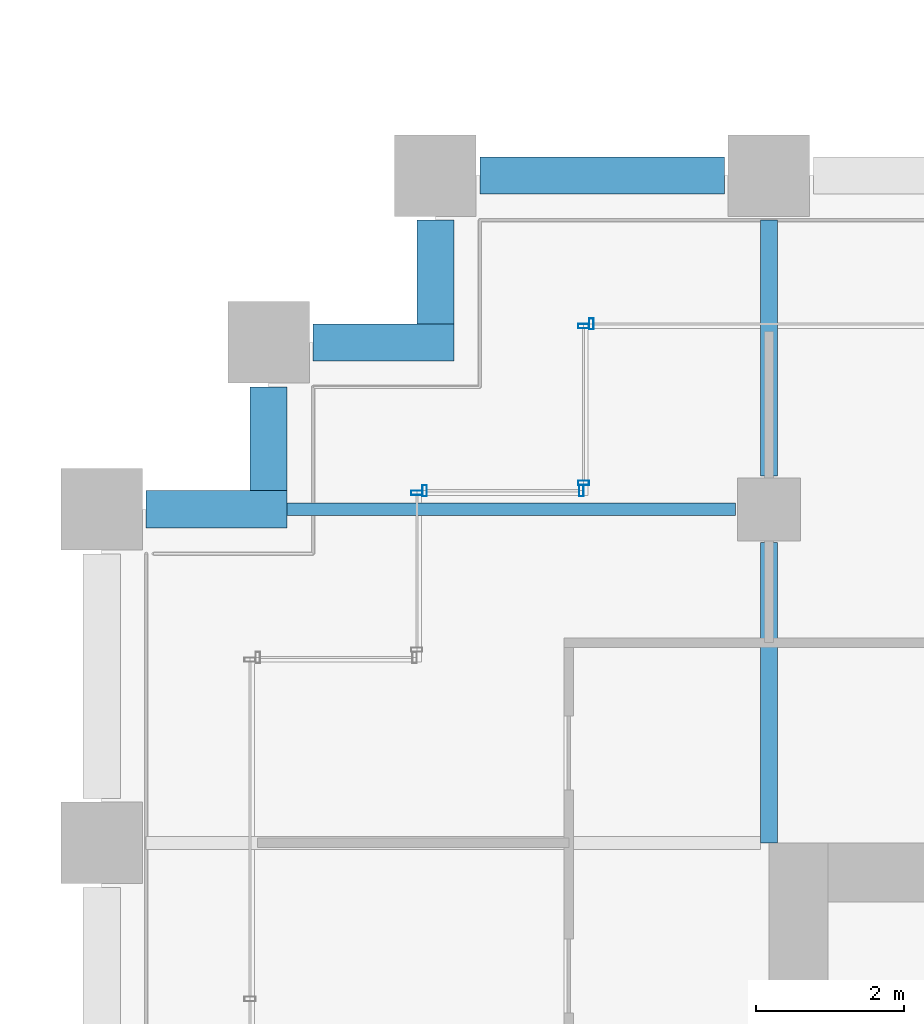
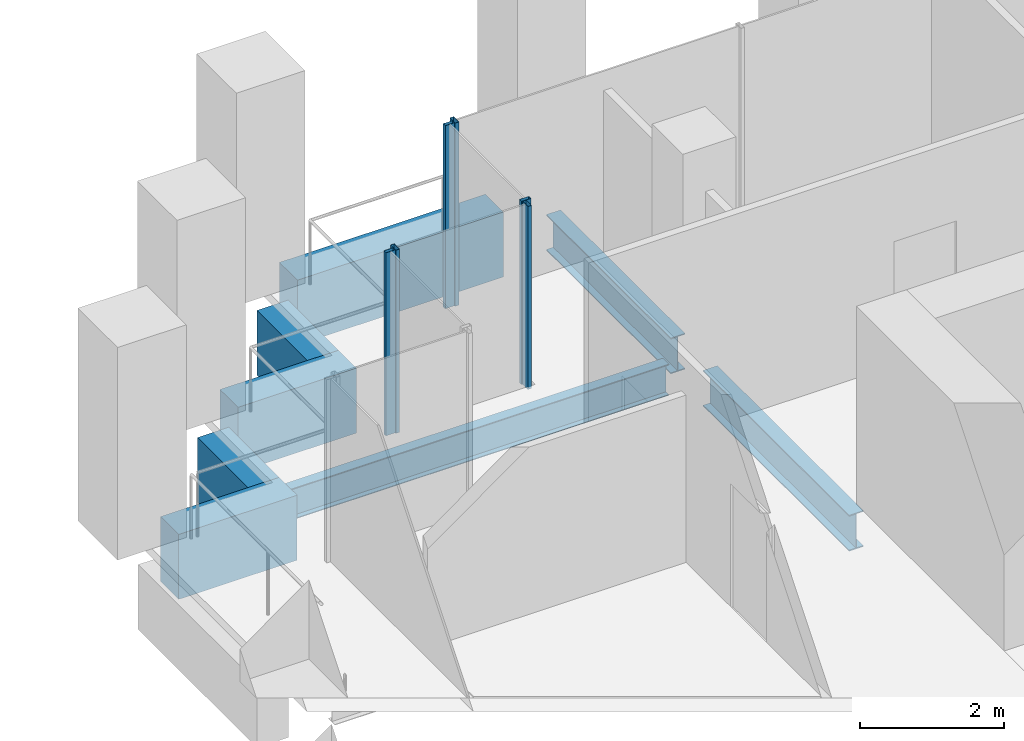
# One storey, part 40 of 55: 8 beams, 6 members, 4 elements without a shape of their own.
"""IFC4 building model written with IfcOpenShell, lengths in metres."""

from ifc_helpers import new_model, si_unit, direction, frame, origin, origin_2d, place, context, subcontext, project, spatial, rectangle, hollow_rectangle, i_section, extrude, material, material_profile, profile_set, type_object, element, aggregate, save


model = new_model("IFC4")

# Units and contexts
model_context = context("Model", 3, precision=1e-05, world=origin(), true_north=direction((0.0, 1.0)))
body_context = subcontext(model_context, "Body", "Model", "MODEL_VIEW")
ifc_project = project(units=[si_unit("LENGTHUNIT", "METRE"), si_unit("AREAUNIT", "SQUARE_METRE"), si_unit("VOLUMEUNIT", "CUBIC_METRE"), si_unit("PLANEANGLEUNIT", "RADIAN"), si_unit("MASSUNIT", "GRAM", prefix="KILO")], contexts=[model_context])

# Site, building, storey
site_placement = place(None, origin())
site = spatial("IfcSite", under=ifc_project, at=site_placement, CompositionType="ELEMENT")
building_placement = place(site_placement, origin())
building = spatial("IfcBuilding", under=site, at=building_placement, Name="Altepetl Exchange Towers", CompositionType="ELEMENT")
storey_placement = place(building_placement, frame((0.0, 0.0, 47.39990234375)))
storey = spatial("IfcBuildingStorey", under=building, at=storey_placement, Name="L10", CompositionType="ELEMENT", Elevation=47.39990234375)

# Beams
ifc_material_1 = material(Name="Steel S355", Category="steel")
ifc_material_profile_1 = material_profile(ifc_material_1, i_section(OverallWidth=0.166015625, OverallDepth=0.529052734375, WebThickness=0.009765625, FlangeThickness=0.013671875, at=origin_2d()), Name="W21X50")
ifc_profile_set_1 = profile_set([ifc_material_profile_1], Name="Steel S355")
beam_type_1 = type_object("IfcBeamType", Name="Floor beam W21X50", PredefinedType="BEAM", material=ifc_profile_set_1)
beam_1_placement = place(storey_placement, frame((97.0, 54.0, -0.414306640625), z_axis=(1.0, 0.0, 0.0), x_axis=(0.0, 1.0, 0.0)))
element("IfcBeam", 1, at=beam_1_placement, inside=storey, type_object=beam_type_1, Name="bm:B:L10:015", PredefinedType="BEAM", context=body_context, shape_type="SweptSolid", body=[
    extrude(i_section(OverallWidth=0.166015625, OverallDepth=0.529052734375, WebThickness=0.009765625, FlangeThickness=0.013671875, at=origin_2d()), origin(), (0.0, 0.0, 1.0), 6.050048828125),
])
ifc_material_profile_2 = material_profile(ifc_material_1, i_section(OverallWidth=0.22802734375, OverallDepth=0.60791015625, WebThickness=0.01123046875, FlangeThickness=0.017333984375, at=origin_2d()), Name="W24X76")
ifc_profile_set_2 = profile_set([ifc_material_profile_2], Name="Steel S355")
beam_type_2 = type_object("IfcBeamType", Name="Girder W24X76", PredefinedType="BEAM", material=ifc_profile_set_2)
beam_2_placement = place(storey_placement, frame((103.5, 57.89990234375, -0.453857421875), z_axis=(0.0, -1.0, 0.0), x_axis=(1.0, 0.0, 0.0)))
element("IfcBeam", 2, at=beam_2_placement, inside=storey, type_object=beam_type_2, Name="gd:B:L10:002", PredefinedType="BEAM", context=body_context, shape_type="SweptSolid", body=[
    extrude(i_section(OverallWidth=0.22802734375, OverallDepth=0.60791015625, WebThickness=0.01123046875, FlangeThickness=0.017333984375, at=origin_2d()), origin(), (0.0, 0.0, 1.0), 3.449951171875),
])
beam_3_placement = place(storey_placement, frame((103.5, 53.550048828125, -0.453857421875), z_axis=(0.0, -1.0, 0.0), x_axis=(1.0, 0.0, 0.0)))
element("IfcBeam", 3, at=beam_3_placement, inside=storey, type_object=beam_type_2, Name="gd:B:L10:003", PredefinedType="BEAM", context=body_context, shape_type="SweptSolid", body=[
    extrude(i_section(OverallWidth=0.22802734375, OverallDepth=0.60791015625, WebThickness=0.01123046875, FlangeThickness=0.017333984375, at=origin_2d()), origin(), (0.0, 0.0, 1.0), 4.050048828125),
])

# Curtain wall, member
ifc_material_2 = material(Name="Aluminium 6063-T6 glazing", Category="aluminium")
curtain_wall_type = type_object("IfcCurtainWallType", Name="Loggia glazing system", PredefinedType="NOTDEFINED", material=ifc_material_2)
curtain_wall_1_placement = place(storey_placement, origin())
curtain_wall_1 = element("IfcCurtainWall", 4, at=curtain_wall_1_placement, inside=storey, type_object=curtain_wall_type, Name="CW1 run", PredefinedType="NOTDEFINED")
ifc_material_3 = material(Name="Aluminium 6063-T6", Category="aluminium")
ifc_material_profile_3 = material_profile(ifc_material_3, hollow_rectangle(XDim=0.06005859375, YDim=0.14990234375, WallThickness=0.0029296875, at=origin_2d()), Name="Mullion 60x150 aluminium")
ifc_profile_set_3 = profile_set([ifc_material_profile_3], Name="Aluminium 6063-T6")
member_type = type_object("IfcMemberType", Name="Mullion 60x150 aluminium", PredefinedType="MULLION", material=ifc_profile_set_3)
member_1_placement = place(storey_placement, frame((101.10498046875, 56.5, 0.0), z_axis=(0.0, 0.0, 1.0), x_axis=(-1.0, 0.0, 0.0)))
member_1 = element("IfcMember", 5, at=member_1_placement, type_object=member_type, Name="MU1 mullion", PredefinedType="MULLION", context=body_context, shape_type="SweptSolid", body=[
    extrude(hollow_rectangle(XDim=0.06005859375, YDim=0.14990234375, WallThickness=0.0029296875, at=origin_2d()), origin(), (0.0, 0.0, 1.0), 3.10009765625),
])
aggregate(curtain_wall_1, [member_1])

# Curtain wall, members
curtain_wall_2_placement = place(storey_placement, origin())
curtain_wall_2 = element("IfcCurtainWall", 6, at=curtain_wall_2_placement, inside=storey, type_object=curtain_wall_type, Name="CW1 run", PredefinedType="NOTDEFINED")
member_2_placement = place(storey_placement, frame((101.0, 56.469970703125, 0.0), z_axis=(0.0, 0.0, 1.0), x_axis=(0.0, -1.0, 0.0)))
member_2 = element("IfcMember", 7, at=member_2_placement, type_object=member_type, Name="MU1 mullion", PredefinedType="MULLION", context=body_context, shape_type="SweptSolid", body=[
    extrude(hollow_rectangle(XDim=0.06005859375, YDim=0.14990234375, WallThickness=0.0029296875, at=origin_2d()), origin(), (0.0, 0.0, 1.0), 3.10009765625),
])
member_3_placement = place(storey_placement, frame((101.0, 54.35498046875, 0.0), z_axis=(0.0, 0.0, 1.0), x_axis=(0.0, -1.0, 0.0)))
member_3 = element("IfcMember", 8, at=member_3_placement, type_object=member_type, Name="MU1 mullion", PredefinedType="MULLION", context=body_context, shape_type="SweptSolid", body=[
    extrude(hollow_rectangle(XDim=0.06005859375, YDim=0.14990234375, WallThickness=0.0029296875, at=origin_2d()), origin(), (0.0, 0.0, 1.0), 3.10009765625),
])
aggregate(curtain_wall_2, [member_2, member_3])

curtain_wall_3_placement = place(storey_placement, origin())
curtain_wall_3 = element("IfcCurtainWall", 9, at=curtain_wall_3_placement, inside=storey, type_object=curtain_wall_type, Name="CW1 run", PredefinedType="NOTDEFINED")
member_4_placement = place(storey_placement, frame((100.969970703125, 54.25, 0.0), z_axis=(0.0, 0.0, 1.0), x_axis=(-1.0, 0.0, 0.0)))
member_4 = element("IfcMember", 10, at=member_4_placement, type_object=member_type, Name="MU1 mullion", PredefinedType="MULLION", context=body_context, shape_type="SweptSolid", body=[
    extrude(hollow_rectangle(XDim=0.06005859375, YDim=0.14990234375, WallThickness=0.0029296875, at=origin_2d()), origin(), (0.0, 0.0, 1.0), 3.10009765625),
])
member_5_placement = place(storey_placement, frame((98.85498046875, 54.25, 0.0), z_axis=(0.0, 0.0, 1.0), x_axis=(-1.0, 0.0, 0.0)))
member_5 = element("IfcMember", 11, at=member_5_placement, type_object=member_type, Name="MU1 mullion", PredefinedType="MULLION", context=body_context, shape_type="SweptSolid", body=[
    extrude(hollow_rectangle(XDim=0.06005859375, YDim=0.14990234375, WallThickness=0.0029296875, at=origin_2d()), origin(), (0.0, 0.0, 1.0), 3.10009765625),
])
aggregate(curtain_wall_3, [member_4, member_5])

# Curtain wall, member
curtain_wall_4_placement = place(storey_placement, origin())
curtain_wall_4 = element("IfcCurtainWall", 12, at=curtain_wall_4_placement, inside=storey, type_object=curtain_wall_type, Name="CW1 run", PredefinedType="NOTDEFINED")
member_6_placement = place(storey_placement, frame((98.75, 54.219970703125, 0.0), z_axis=(0.0, 0.0, 1.0), x_axis=(0.0, -1.0, 0.0)))
member_6 = element("IfcMember", 13, at=member_6_placement, type_object=member_type, Name="MU1 mullion", PredefinedType="MULLION", context=body_context, shape_type="SweptSolid", body=[
    extrude(hollow_rectangle(XDim=0.06005859375, YDim=0.14990234375, WallThickness=0.0029296875, at=origin_2d()), origin(), (0.0, 0.0, 1.0), 3.10009765625),
])
aggregate(curtain_wall_4, [member_6])

# Beams
ifc_material_4 = material(Name="Concrete C50/60 precast with cantera rosa facing", Category="concrete")
ifc_material_profile_4 = material_profile(ifc_material_4, rectangle(XDim=0.5, YDim=1.10009765625, at=origin_2d()), Name="500 x 1100")
ifc_profile_set_4 = profile_set([ifc_material_profile_4], Name="Concrete C50/60 precast with cantera rosa facing")
beam_type_3 = type_object("IfcBeamType", Name="Spandrel beam 500x1100 cantera rosa", PredefinedType="SPANDREL", material=ifc_profile_set_4)
beam_4_placement = place(storey_placement, frame((102.89990234375, 58.5, -0.699951171875), z_axis=(-1.0, 0.0, 0.0), x_axis=(0.0, -1.0, 0.0)))
element("IfcBeam", 14, at=beam_4_placement, inside=storey, type_object=beam_type_3, Name="sp:B:L10:022", PredefinedType="SPANDREL", context=body_context, shape_type="SweptSolid", body=[
    extrude(rectangle(XDim=0.5, YDim=1.10009765625, at=origin_2d()), origin(), (0.0, 0.0, 1.0), 3.2998046875),
])
beam_5_placement = place(storey_placement, frame((99.0, 57.89990234375, -0.699951171875), z_axis=(0.0, -1.0, 0.0), x_axis=(1.0, 0.0, 0.0)))
element("IfcBeam", 15, at=beam_5_placement, inside=storey, type_object=beam_type_3, Name="sp:B:L10:023", PredefinedType="SPANDREL", context=body_context, shape_type="SweptSolid", body=[
    extrude(rectangle(XDim=0.5, YDim=1.10009765625, at=origin_2d()), origin(), (0.0, 0.0, 1.0), 1.39990234375),
])
beam_6_placement = place(storey_placement, frame((99.25, 56.25, -0.699951171875), z_axis=(-1.0, 0.0, 0.0), x_axis=(0.0, -1.0, 0.0)))
element("IfcBeam", 16, at=beam_6_placement, inside=storey, type_object=beam_type_3, Name="sp:B:L10:024", PredefinedType="SPANDREL", context=body_context, shape_type="SweptSolid", body=[
    extrude(rectangle(XDim=0.5, YDim=1.10009765625, at=origin_2d()), origin(), (0.0, 0.0, 1.0), 1.89990234375),
])
beam_7_placement = place(storey_placement, frame((96.75, 55.64990234375, -0.699951171875), z_axis=(0.0, -1.0, 0.0), x_axis=(1.0, 0.0, 0.0)))
element("IfcBeam", 17, at=beam_7_placement, inside=storey, type_object=beam_type_3, Name="sp:B:L10:025", PredefinedType="SPANDREL", context=body_context, shape_type="SweptSolid", body=[
    extrude(rectangle(XDim=0.5, YDim=1.10009765625, at=origin_2d()), origin(), (0.0, 0.0, 1.0), 1.39990234375),
])
beam_8_placement = place(storey_placement, frame((97.0, 54.0, -0.699951171875), z_axis=(-1.0, 0.0, 0.0), x_axis=(0.0, -1.0, 0.0)))
element("IfcBeam", 18, at=beam_8_placement, inside=storey, type_object=beam_type_3, Name="sp:B:L10:026", PredefinedType="SPANDREL", context=body_context, shape_type="SweptSolid", body=[
    extrude(rectangle(XDim=0.5, YDim=1.10009765625, at=origin_2d()), origin(), (0.0, 0.0, 1.0), 1.89990234375),
])

save(model, "model.ifc")
